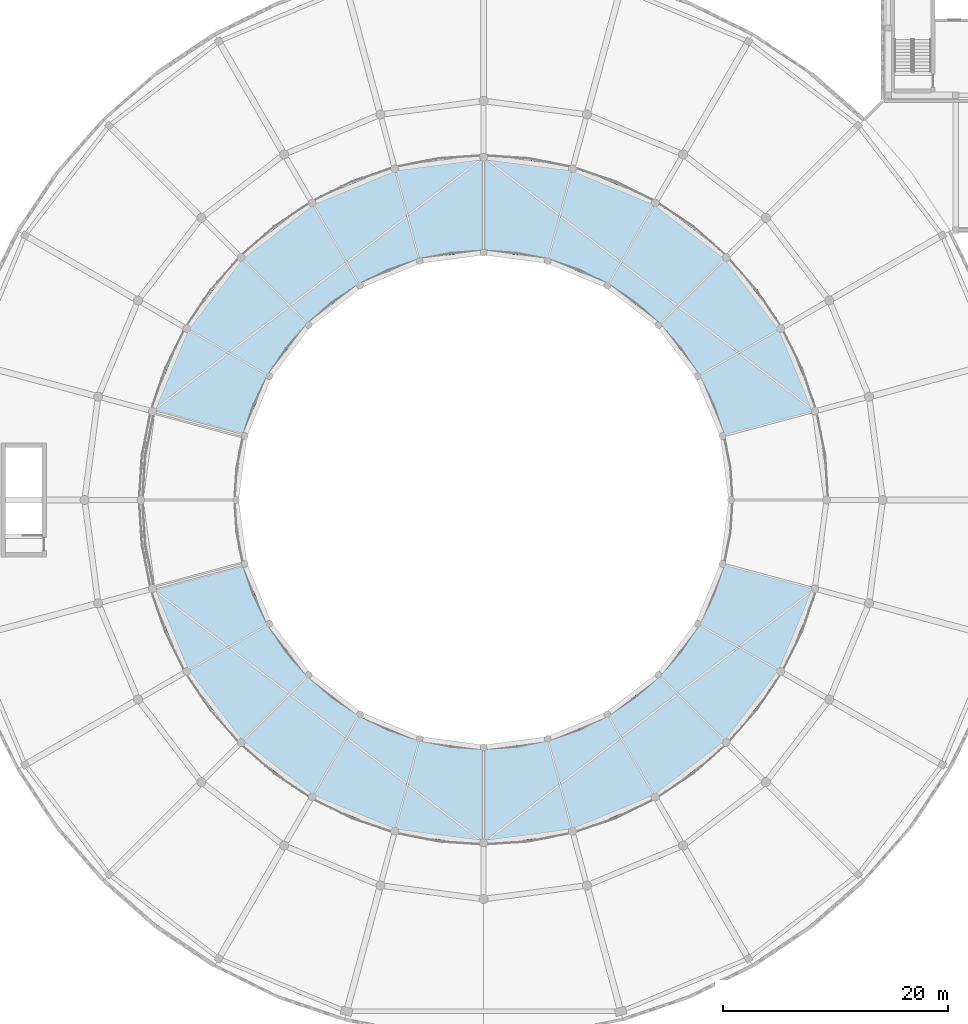
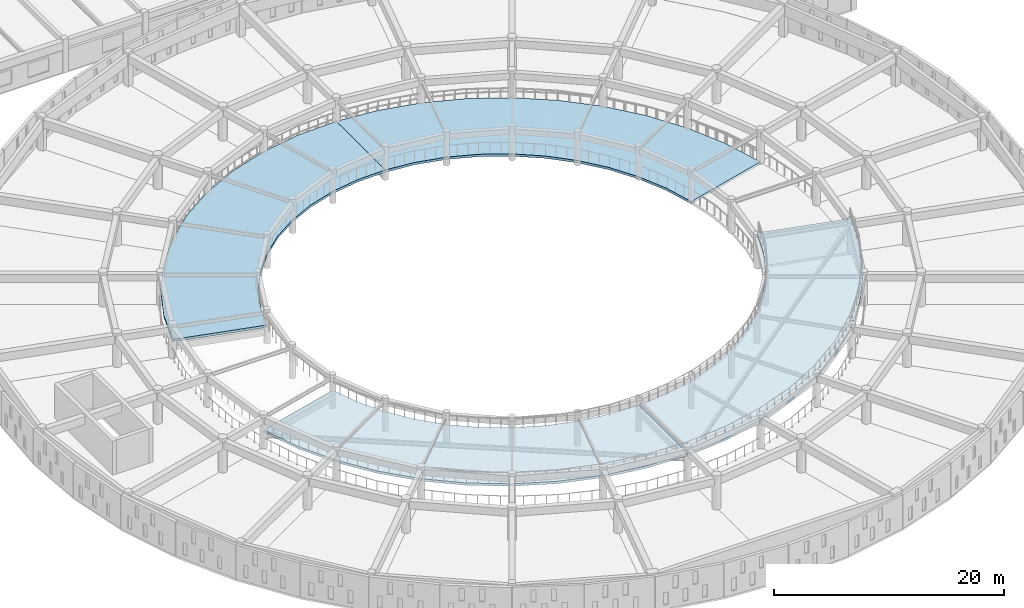
# One storey, part 127 of 155: 4 slabs.
"""IFC4 building model written with IfcOpenShell, lengths in metres."""

from ifc_helpers import new_model, si_unit, direction, frame, origin, place, context, subcontext, project, spatial, polygons, material, layer, layer_set, type_object, element, save


model = new_model("IFC4")

# Units and contexts
model_context = context("Model", 3, precision=1e-05, world=origin(), true_north=direction((0.0, 1.0)))
body_context = subcontext(model_context, "Body", "Model", "MODEL_VIEW")
ifc_project = project(units=[si_unit("LENGTHUNIT", "METRE"), si_unit("AREAUNIT", "SQUARE_METRE"), si_unit("VOLUMEUNIT", "CUBIC_METRE"), si_unit("PLANEANGLEUNIT", "RADIAN"), si_unit("MASSUNIT", "GRAM", prefix="KILO")], contexts=[model_context])

# Site, building, storey
site_placement = place(None, origin())
site = spatial("IfcSite", under=ifc_project, at=site_placement, CompositionType="ELEMENT")
building_placement = place(site_placement, origin())
building = spatial("IfcBuilding", under=site, at=building_placement, Name="Larkveld Mobility Hub", CompositionType="ELEMENT")
storey_placement = place(building_placement, frame((0.0, 0.0, 8.39990234375)))
storey = spatial("IfcBuildingStorey", under=building, at=storey_placement, Name="L02", CompositionType="ELEMENT", Elevation=8.39990234375)

# Slabs
ifc_material = material(Name="Concrete C40/50", Category="concrete")
ifc_layer = layer(ifc_material, 0.25, Name="Concrete C40/50", Category="concrete")
ifc_layer_set = layer_set([ifc_layer], Name="Concrete C40/50")
slab_type = type_object("IfcSlabType", Name="SL-RMP-HEL-250", PredefinedType="FLOOR", material=ifc_layer_set)
slab_1_placement = place(storey_placement, frame((0.0, 0.0, -8.39990234375)))
element("IfcSlab", 1, at=slab_1_placement, inside=storey, type_object=slab_type, Name="Car park helical vehicle ramp slab R03-R13 (L02)", PredefinedType="FLOOR", context=body_context, shape_type="Tessellation", body=[
    polygons([(77.4609375, 55.89404296875, 8.39990234375), (69.25, 53.694091796875, 8.39990234375), (76.177978515625, 59.672119140625, 8.489990234375), (68.324951171875, 56.4189453125, 8.489990234375), (74.4140625, 63.25, 8.580078125), (67.052978515625, 59.0, 8.580078125), (72.197021484375, 66.56689453125, 8.669921875), (65.4541015625, 61.39306640625, 8.669921875), (69.56689453125, 69.56689453125, 8.760009765625), (63.555908203125, 63.555908203125, 8.760009765625), (66.56689453125, 72.197021484375, 8.85009765625), (61.39306640625, 65.4541015625, 8.85009765625), (63.25, 74.4140625, 8.93994140625), (59.0, 67.052978515625, 8.93994140625), (59.672119140625, 76.177978515625, 9.030029296875), (56.4189453125, 68.324951171875, 9.030029296875), (55.89404296875, 77.4609375, 9.1201171875), (53.694091796875, 69.25, 9.1201171875), (51.98095703125, 78.239013671875, 9.2099609375), (50.8720703125, 69.81201171875, 9.2099609375), (48.0, 78.5, 9.300048828125), (48.0, 70.0, 9.300048828125), (77.4609375, 55.89404296875, 8.14990234375), (69.25, 53.694091796875, 8.14990234375), (76.177978515625, 59.672119140625, 8.239990234375), (68.324951171875, 56.4189453125, 8.239990234375), (74.4140625, 63.25, 8.330078125), (67.052978515625, 59.0, 8.330078125), (72.197021484375, 66.56689453125, 8.419921875), (65.4541015625, 61.39306640625, 8.419921875), (69.56689453125, 69.56689453125, 8.510009765625), (63.555908203125, 63.555908203125, 8.510009765625), (66.56689453125, 72.197021484375, 8.60009765625), (61.39306640625, 65.4541015625, 8.60009765625), (63.25, 74.4140625, 8.68994140625), (59.0, 67.052978515625, 8.68994140625), (59.672119140625, 76.177978515625, 8.780029296875), (56.4189453125, 68.324951171875, 8.780029296875), (55.89404296875, 77.4609375, 8.8701171875), (53.694091796875, 69.25, 8.8701171875), (51.98095703125, 78.239013671875, 8.9599609375), (50.8720703125, 69.81201171875, 8.9599609375), (48.0, 78.5, 9.050048828125), (48.0, 70.0, 9.050048828125)], [[[1, 3, 4]], [[1, 4, 2]], [[23, 26, 25]], [[23, 24, 26]], [[1, 23, 25]], [[1, 25, 3]], [[2, 4, 26]], [[2, 26, 24]], [[3, 5, 6]], [[3, 6, 4]], [[25, 28, 27]], [[25, 26, 28]], [[3, 25, 27]], [[3, 27, 5]], [[4, 6, 28]], [[4, 28, 26]], [[5, 7, 8]], [[5, 8, 6]], [[27, 30, 29]], [[27, 28, 30]], [[5, 27, 29]], [[5, 29, 7]], [[6, 8, 30]], [[6, 30, 28]], [[7, 9, 10]], [[7, 10, 8]], [[29, 32, 31]], [[29, 30, 32]], [[7, 29, 31]], [[7, 31, 9]], [[8, 10, 32]], [[8, 32, 30]], [[9, 11, 12]], [[9, 12, 10]], [[31, 34, 33]], [[31, 32, 34]], [[9, 31, 33]], [[9, 33, 11]], [[10, 12, 34]], [[10, 34, 32]], [[11, 13, 14]], [[11, 14, 12]], [[33, 36, 35]], [[33, 34, 36]], [[11, 33, 35]], [[11, 35, 13]], [[12, 14, 36]], [[12, 36, 34]], [[13, 15, 16]], [[13, 16, 14]], [[35, 38, 37]], [[35, 36, 38]], [[13, 35, 37]], [[13, 37, 15]], [[14, 16, 38]], [[14, 38, 36]], [[15, 17, 18]], [[15, 18, 16]], [[37, 40, 39]], [[37, 38, 40]], [[15, 37, 39]], [[15, 39, 17]], [[16, 18, 40]], [[16, 40, 38]], [[17, 19, 20]], [[17, 20, 18]], [[39, 42, 41]], [[39, 40, 42]], [[17, 39, 41]], [[17, 41, 19]], [[18, 20, 42]], [[18, 42, 40]], [[19, 21, 22]], [[19, 22, 20]], [[41, 44, 43]], [[41, 42, 44]], [[19, 41, 43]], [[19, 43, 21]], [[20, 22, 44]], [[20, 44, 42]], [[1, 2, 24]], [[1, 24, 23]], [[21, 43, 44]], [[21, 44, 22]]], closed=True),
])
slab_2_placement = place(storey_placement, frame((0.0, 0.0, -8.39990234375)))
element("IfcSlab", 2, at=slab_2_placement, inside=storey, type_object=slab_type, Name="Car park helical vehicle ramp slab R13-R23 (L02)", PredefinedType="FLOOR", context=body_context, shape_type="Tessellation", body=[
    polygons([(48.0, 78.5, 9.300048828125), (48.0, 70.0, 9.300048828125), (44.01904296875, 78.239013671875, 9.389892578125), (45.1279296875, 69.81201171875, 9.389892578125), (40.10595703125, 77.4609375, 9.47998046875), (42.305908203125, 69.25, 9.47998046875), (36.327880859375, 76.177978515625, 9.570068359375), (39.5810546875, 68.324951171875, 9.570068359375), (32.75, 74.4140625, 9.659912109375), (37.0, 67.052978515625, 9.659912109375), (29.43310546875, 72.197021484375, 9.75), (34.60693359375, 65.4541015625, 9.75), (26.43310546875, 69.56689453125, 9.840087890625), (32.444091796875, 63.555908203125, 9.840087890625), (23.802978515625, 66.56689453125, 9.929931640625), (30.5458984375, 61.39306640625, 9.929931640625), (21.5859375, 63.25, 10.02001953125), (28.947021484375, 59.0, 10.02001953125), (19.822021484375, 59.672119140625, 10.110107421875), (27.675048828125, 56.4189453125, 10.110107421875), (18.5390625, 55.89404296875, 10.199951171875), (26.75, 53.694091796875, 10.199951171875), (48.0, 78.5, 9.050048828125), (48.0, 70.0, 9.050048828125), (44.01904296875, 78.239013671875, 9.139892578125), (45.1279296875, 69.81201171875, 9.139892578125), (40.10595703125, 77.4609375, 9.22998046875), (42.305908203125, 69.25, 9.22998046875), (36.327880859375, 76.177978515625, 9.320068359375), (39.5810546875, 68.324951171875, 9.320068359375), (32.75, 74.4140625, 9.409912109375), (37.0, 67.052978515625, 9.409912109375), (29.43310546875, 72.197021484375, 9.5), (34.60693359375, 65.4541015625, 9.5), (26.43310546875, 69.56689453125, 9.590087890625), (32.444091796875, 63.555908203125, 9.590087890625), (23.802978515625, 66.56689453125, 9.679931640625), (30.5458984375, 61.39306640625, 9.679931640625), (21.5859375, 63.25, 9.77001953125), (28.947021484375, 59.0, 9.77001953125), (19.822021484375, 59.672119140625, 9.860107421875), (27.675048828125, 56.4189453125, 9.860107421875), (18.5390625, 55.89404296875, 9.949951171875), (26.75, 53.694091796875, 9.949951171875)], [[[1, 3, 4]], [[1, 4, 2]], [[23, 26, 25]], [[23, 24, 26]], [[1, 23, 25]], [[1, 25, 3]], [[2, 4, 26]], [[2, 26, 24]], [[3, 5, 6]], [[3, 6, 4]], [[25, 28, 27]], [[25, 26, 28]], [[3, 25, 27]], [[3, 27, 5]], [[4, 6, 28]], [[4, 28, 26]], [[5, 7, 8]], [[5, 8, 6]], [[27, 30, 29]], [[27, 28, 30]], [[5, 27, 29]], [[5, 29, 7]], [[6, 8, 30]], [[6, 30, 28]], [[7, 9, 10]], [[7, 10, 8]], [[29, 32, 31]], [[29, 30, 32]], [[7, 29, 31]], [[7, 31, 9]], [[8, 10, 32]], [[8, 32, 30]], [[9, 11, 12]], [[9, 12, 10]], [[31, 34, 33]], [[31, 32, 34]], [[9, 31, 33]], [[9, 33, 11]], [[10, 12, 34]], [[10, 34, 32]], [[11, 13, 14]], [[11, 14, 12]], [[33, 36, 35]], [[33, 34, 36]], [[11, 33, 35]], [[11, 35, 13]], [[12, 14, 36]], [[12, 36, 34]], [[13, 15, 16]], [[13, 16, 14]], [[35, 38, 37]], [[35, 36, 38]], [[13, 35, 37]], [[13, 37, 15]], [[14, 16, 38]], [[14, 38, 36]], [[15, 17, 18]], [[15, 18, 16]], [[37, 40, 39]], [[37, 38, 40]], [[15, 37, 39]], [[15, 39, 17]], [[16, 18, 40]], [[16, 40, 38]], [[17, 19, 20]], [[17, 20, 18]], [[39, 42, 41]], [[39, 40, 42]], [[17, 39, 41]], [[17, 41, 19]], [[18, 20, 42]], [[18, 42, 40]], [[19, 21, 22]], [[19, 22, 20]], [[41, 44, 43]], [[41, 42, 44]], [[19, 41, 43]], [[19, 43, 21]], [[20, 22, 44]], [[20, 44, 42]], [[1, 2, 24]], [[1, 24, 23]], [[21, 43, 44]], [[21, 44, 22]]], closed=True),
])
slab_3_placement = place(storey_placement, frame((0.0, 0.0, -8.39990234375)))
element("IfcSlab", 3, at=slab_3_placement, inside=storey, type_object=slab_type, Name="Car park helical vehicle ramp slab R27-R37 (L02)", PredefinedType="FLOOR", context=body_context, shape_type="Tessellation", body=[
    polygons([(18.5390625, 40.10595703125, 10.199951171875), (26.75, 42.305908203125, 10.199951171875), (19.822021484375, 36.327880859375, 10.2900390625), (27.675048828125, 39.5810546875, 10.2900390625), (21.5859375, 32.75, 10.3798828125), (28.947021484375, 37.0, 10.3798828125), (23.802978515625, 29.43310546875, 10.469970703125), (30.5458984375, 34.60693359375, 10.469970703125), (26.43310546875, 26.43310546875, 10.56005859375), (32.444091796875, 32.444091796875, 10.56005859375), (29.43310546875, 23.802978515625, 10.64990234375), (34.60693359375, 30.5458984375, 10.64990234375), (32.75, 21.5859375, 10.739990234375), (37.0, 28.947021484375, 10.739990234375), (36.327880859375, 19.822021484375, 10.830078125), (39.5810546875, 27.675048828125, 10.830078125), (40.10595703125, 18.5390625, 10.919921875), (42.305908203125, 26.75, 10.919921875), (44.01904296875, 17.760986328125, 11.010009765625), (45.1279296875, 26.18798828125, 11.010009765625), (48.0, 17.5, 11.10009765625), (48.0, 26.0, 11.10009765625), (18.5390625, 40.10595703125, 9.949951171875), (26.75, 42.305908203125, 9.949951171875), (19.822021484375, 36.327880859375, 10.0400390625), (27.675048828125, 39.5810546875, 10.0400390625), (21.5859375, 32.75, 10.1298828125), (28.947021484375, 37.0, 10.1298828125), (23.802978515625, 29.43310546875, 10.219970703125), (30.5458984375, 34.60693359375, 10.219970703125), (26.43310546875, 26.43310546875, 10.31005859375), (32.444091796875, 32.444091796875, 10.31005859375), (29.43310546875, 23.802978515625, 10.39990234375), (34.60693359375, 30.5458984375, 10.39990234375), (32.75, 21.5859375, 10.489990234375), (37.0, 28.947021484375, 10.489990234375), (36.327880859375, 19.822021484375, 10.580078125), (39.5810546875, 27.675048828125, 10.580078125), (40.10595703125, 18.5390625, 10.669921875), (42.305908203125, 26.75, 10.669921875), (44.01904296875, 17.760986328125, 10.760009765625), (45.1279296875, 26.18798828125, 10.760009765625), (48.0, 17.5, 10.85009765625), (48.0, 26.0, 10.85009765625)], [[[1, 3, 4]], [[1, 4, 2]], [[23, 26, 25]], [[23, 24, 26]], [[1, 23, 25]], [[1, 25, 3]], [[2, 4, 26]], [[2, 26, 24]], [[3, 5, 6]], [[3, 6, 4]], [[25, 28, 27]], [[25, 26, 28]], [[3, 25, 27]], [[3, 27, 5]], [[4, 6, 28]], [[4, 28, 26]], [[5, 7, 8]], [[5, 8, 6]], [[27, 30, 29]], [[27, 28, 30]], [[5, 27, 29]], [[5, 29, 7]], [[6, 8, 30]], [[6, 30, 28]], [[7, 9, 10]], [[7, 10, 8]], [[29, 32, 31]], [[29, 30, 32]], [[7, 29, 31]], [[7, 31, 9]], [[8, 10, 32]], [[8, 32, 30]], [[9, 11, 12]], [[9, 12, 10]], [[31, 34, 33]], [[31, 32, 34]], [[9, 31, 33]], [[9, 33, 11]], [[10, 12, 34]], [[10, 34, 32]], [[11, 13, 14]], [[11, 14, 12]], [[33, 36, 35]], [[33, 34, 36]], [[11, 33, 35]], [[11, 35, 13]], [[12, 14, 36]], [[12, 36, 34]], [[13, 15, 16]], [[13, 16, 14]], [[35, 38, 37]], [[35, 36, 38]], [[13, 35, 37]], [[13, 37, 15]], [[14, 16, 38]], [[14, 38, 36]], [[15, 17, 18]], [[15, 18, 16]], [[37, 40, 39]], [[37, 38, 40]], [[15, 37, 39]], [[15, 39, 17]], [[16, 18, 40]], [[16, 40, 38]], [[17, 19, 20]], [[17, 20, 18]], [[39, 42, 41]], [[39, 40, 42]], [[17, 39, 41]], [[17, 41, 19]], [[18, 20, 42]], [[18, 42, 40]], [[19, 21, 22]], [[19, 22, 20]], [[41, 44, 43]], [[41, 42, 44]], [[19, 41, 43]], [[19, 43, 21]], [[20, 22, 44]], [[20, 44, 42]], [[1, 2, 24]], [[1, 24, 23]], [[21, 43, 44]], [[21, 44, 22]]], closed=True),
])
slab_4_placement = place(storey_placement, frame((0.0, 0.0, -8.39990234375)))
element("IfcSlab", 4, at=slab_4_placement, inside=storey, type_object=slab_type, Name="Car park helical vehicle ramp slab R37-R47 (L02)", PredefinedType="FLOOR", context=body_context, shape_type="Tessellation", body=[
    polygons([(48.0, 17.5, 11.10009765625), (48.0, 26.0, 11.10009765625), (51.98095703125, 17.760986328125, 11.18994140625), (50.8720703125, 26.18798828125, 11.18994140625), (55.89404296875, 18.5390625, 11.280029296875), (53.694091796875, 26.75, 11.280029296875), (59.672119140625, 19.822021484375, 11.3701171875), (56.4189453125, 27.675048828125, 11.3701171875), (63.25, 21.5859375, 11.4599609375), (59.0, 28.947021484375, 11.4599609375), (66.56689453125, 23.802978515625, 11.550048828125), (61.39306640625, 30.5458984375, 11.550048828125), (69.56689453125, 26.43310546875, 11.639892578125), (63.555908203125, 32.444091796875, 11.639892578125), (72.197021484375, 29.43310546875, 11.72998046875), (65.4541015625, 34.60693359375, 11.72998046875), (74.4140625, 32.75, 11.820068359375), (67.052978515625, 37.0, 11.820068359375), (76.177978515625, 36.327880859375, 11.909912109375), (68.324951171875, 39.5810546875, 11.909912109375), (77.4609375, 40.10595703125, 12.0), (69.25, 42.305908203125, 12.0), (48.0, 17.5, 10.85009765625), (48.0, 26.0, 10.85009765625), (51.98095703125, 17.760986328125, 10.93994140625), (50.8720703125, 26.18798828125, 10.93994140625), (55.89404296875, 18.5390625, 11.030029296875), (53.694091796875, 26.75, 11.030029296875), (59.672119140625, 19.822021484375, 11.1201171875), (56.4189453125, 27.675048828125, 11.1201171875), (63.25, 21.5859375, 11.2099609375), (59.0, 28.947021484375, 11.2099609375), (66.56689453125, 23.802978515625, 11.300048828125), (61.39306640625, 30.5458984375, 11.300048828125), (69.56689453125, 26.43310546875, 11.389892578125), (63.555908203125, 32.444091796875, 11.389892578125), (72.197021484375, 29.43310546875, 11.47998046875), (65.4541015625, 34.60693359375, 11.47998046875), (74.4140625, 32.75, 11.570068359375), (67.052978515625, 37.0, 11.570068359375), (76.177978515625, 36.327880859375, 11.659912109375), (68.324951171875, 39.5810546875, 11.659912109375), (77.4609375, 40.10595703125, 11.75), (69.25, 42.305908203125, 11.75)], [[[1, 3, 4]], [[1, 4, 2]], [[23, 26, 25]], [[23, 24, 26]], [[1, 23, 25]], [[1, 25, 3]], [[2, 4, 26]], [[2, 26, 24]], [[3, 5, 6]], [[3, 6, 4]], [[25, 28, 27]], [[25, 26, 28]], [[3, 25, 27]], [[3, 27, 5]], [[4, 6, 28]], [[4, 28, 26]], [[5, 7, 8]], [[5, 8, 6]], [[27, 30, 29]], [[27, 28, 30]], [[5, 27, 29]], [[5, 29, 7]], [[6, 8, 30]], [[6, 30, 28]], [[7, 9, 10]], [[7, 10, 8]], [[29, 32, 31]], [[29, 30, 32]], [[7, 29, 31]], [[7, 31, 9]], [[8, 10, 32]], [[8, 32, 30]], [[9, 11, 12]], [[9, 12, 10]], [[31, 34, 33]], [[31, 32, 34]], [[9, 31, 33]], [[9, 33, 11]], [[10, 12, 34]], [[10, 34, 32]], [[11, 13, 14]], [[11, 14, 12]], [[33, 36, 35]], [[33, 34, 36]], [[11, 33, 35]], [[11, 35, 13]], [[12, 14, 36]], [[12, 36, 34]], [[13, 15, 16]], [[13, 16, 14]], [[35, 38, 37]], [[35, 36, 38]], [[13, 35, 37]], [[13, 37, 15]], [[14, 16, 38]], [[14, 38, 36]], [[15, 17, 18]], [[15, 18, 16]], [[37, 40, 39]], [[37, 38, 40]], [[15, 37, 39]], [[15, 39, 17]], [[16, 18, 40]], [[16, 40, 38]], [[17, 19, 20]], [[17, 20, 18]], [[39, 42, 41]], [[39, 40, 42]], [[17, 39, 41]], [[17, 41, 19]], [[18, 20, 42]], [[18, 42, 40]], [[19, 21, 22]], [[19, 22, 20]], [[41, 44, 43]], [[41, 42, 44]], [[19, 41, 43]], [[19, 43, 21]], [[20, 22, 44]], [[20, 44, 42]], [[1, 2, 24]], [[1, 24, 23]], [[21, 43, 44]], [[21, 44, 22]]], closed=True),
])

save(model, "model.ifc")
